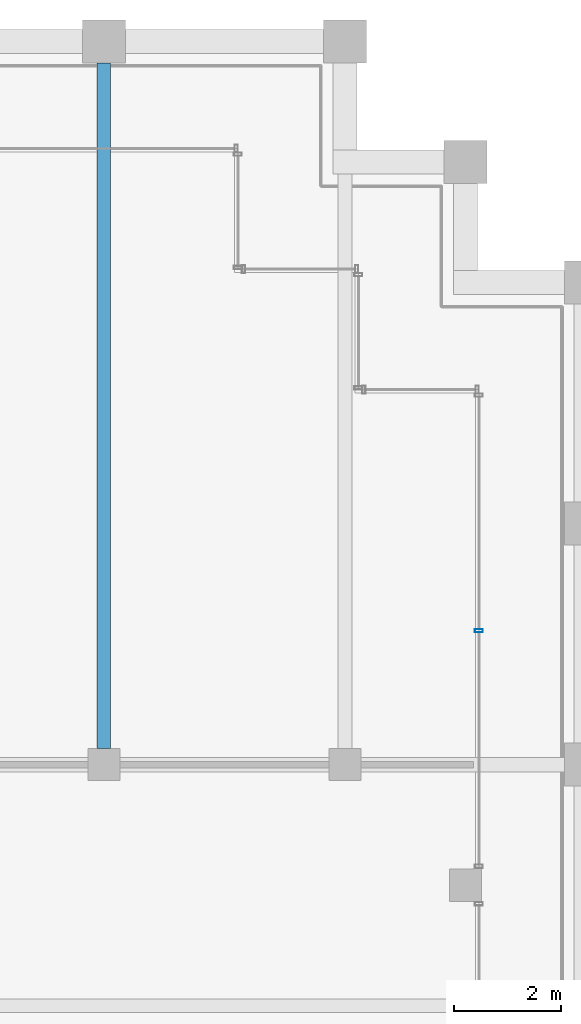
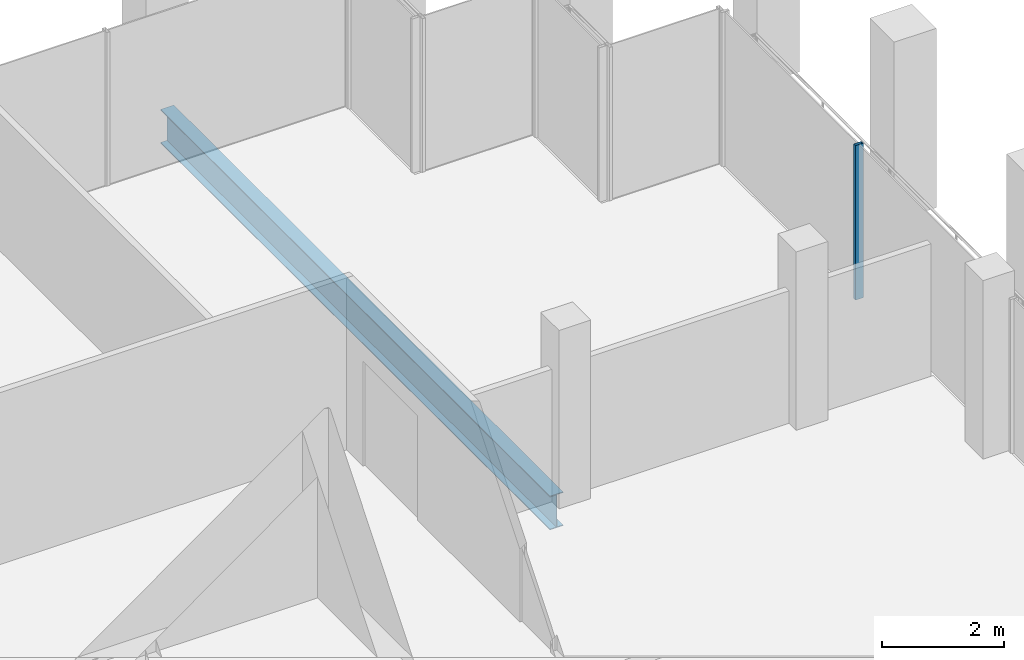
# One storey, part 24 of 30: 1 beam, 1 member, 1 element without a shape of its own.
"""IFC4 building model written with IfcOpenShell, lengths in metres."""

from ifc_helpers import new_model, si_unit, direction, frame, origin, origin_2d, place, context, subcontext, project, spatial, hollow_rectangle, i_section, extrude, material, material_profile, profile_set, type_object, element, aggregate, save


model = new_model("IFC4")

# Units and contexts
model_context = context("Model", 3, precision=1e-05, world=origin(), true_north=direction((0.0, 1.0)))
body_context = subcontext(model_context, "Body", "Model", "MODEL_VIEW")
ifc_project = project(units=[si_unit("LENGTHUNIT", "METRE"), si_unit("AREAUNIT", "SQUARE_METRE"), si_unit("VOLUMEUNIT", "CUBIC_METRE"), si_unit("PLANEANGLEUNIT", "RADIAN"), si_unit("MASSUNIT", "GRAM", prefix="KILO")], contexts=[model_context])

# Site, building, storey
site_placement = place(None, origin())
site = spatial("IfcSite", under=ifc_project, at=site_placement, CompositionType="ELEMENT")
building_placement = place(site_placement, origin())
building = spatial("IfcBuilding", under=site, at=building_placement, Name="Altepetl Exchange Towers", CompositionType="ELEMENT")
storey_placement = place(building_placement, frame((0.0, 0.0, 235.199951171875)))
storey = spatial("IfcBuildingStorey", under=building, at=storey_placement, Name="L60", CompositionType="ELEMENT", Elevation=235.199951171875)

# Beam
ifc_material_1 = material(Name="Steel S355", Category="steel")
ifc_material_profile_1 = material_profile(ifc_material_1, i_section(OverallWidth=0.2529296875, OverallDepth=0.677978515625, WebThickness=0.01171875, FlangeThickness=0.016357421875, at=origin_2d()), Name="W27X84")
ifc_profile_set_1 = profile_set([ifc_material_profile_1], Name="Steel S355")
beam_type = type_object("IfcBeamType", Name="Floor beam W27X84", PredefinedType="BEAM", material=ifc_profile_set_1)
beam_placement = place(storey_placement, frame((63.0, 58.800048828125, -0.489013671875), z_axis=(0.0, 1.0, 0.0), x_axis=(-1.0, 0.0, 0.0)))
element("IfcBeam", 1, at=beam_placement, inside=storey, type_object=beam_type, Name="bm:A:L60:004", PredefinedType="BEAM", context=body_context, shape_type="SweptSolid", body=[
    extrude(i_section(OverallWidth=0.2529296875, OverallDepth=0.677978515625, WebThickness=0.01171875, FlangeThickness=0.016357421875, at=origin_2d()), origin(), (0.0, 0.0, 1.0), 12.800048828125),
])

# Curtain wall, member
ifc_material_2 = material(Name="Aluminium 6063-T6 glazing", Category="aluminium")
curtain_wall_type = type_object("IfcCurtainWallType", Name="Loggia glazing system", PredefinedType="NOTDEFINED", material=ifc_material_2)
curtain_wall_placement = place(storey_placement, origin())
curtain_wall = element("IfcCurtainWall", 2, at=curtain_wall_placement, inside=storey, type_object=curtain_wall_type, Name="CW1 run", PredefinedType="NOTDEFINED")
ifc_material_3 = material(Name="Aluminium 6063-T6", Category="aluminium")
ifc_material_profile_2 = material_profile(ifc_material_3, hollow_rectangle(XDim=0.06005859375, YDim=0.14990234375, WallThickness=0.0029296875, at=origin_2d()), Name="Mullion 60x150 aluminium")
ifc_profile_set_2 = profile_set([ifc_material_profile_2], Name="Aluminium 6063-T6")
member_type = type_object("IfcMemberType", Name="Mullion 60x150 aluminium", PredefinedType="MULLION", material=ifc_profile_set_2)
member_placement = place(storey_placement, frame((70.0, 60.99755859375, 0.0), z_axis=(0.0, 0.0, 1.0), x_axis=(0.0, 1.0, 0.0)))
member = element("IfcMember", 3, at=member_placement, type_object=member_type, Name="MU1 mullion", PredefinedType="MULLION", context=body_context, shape_type="SweptSolid", body=[
    extrude(hollow_rectangle(XDim=0.06005859375, YDim=0.14990234375, WallThickness=0.0029296875, at=origin_2d()), origin(), (0.0, 0.0, 1.0), 3.10009765625),
])
aggregate(curtain_wall, [member])

save(model, "model.ifc")
